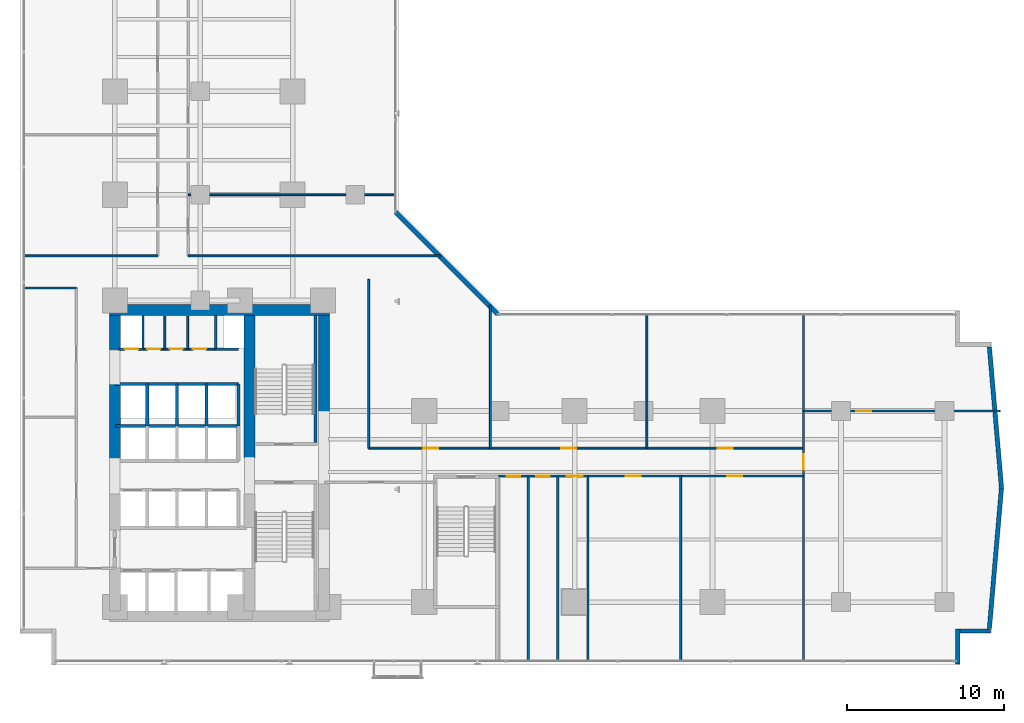
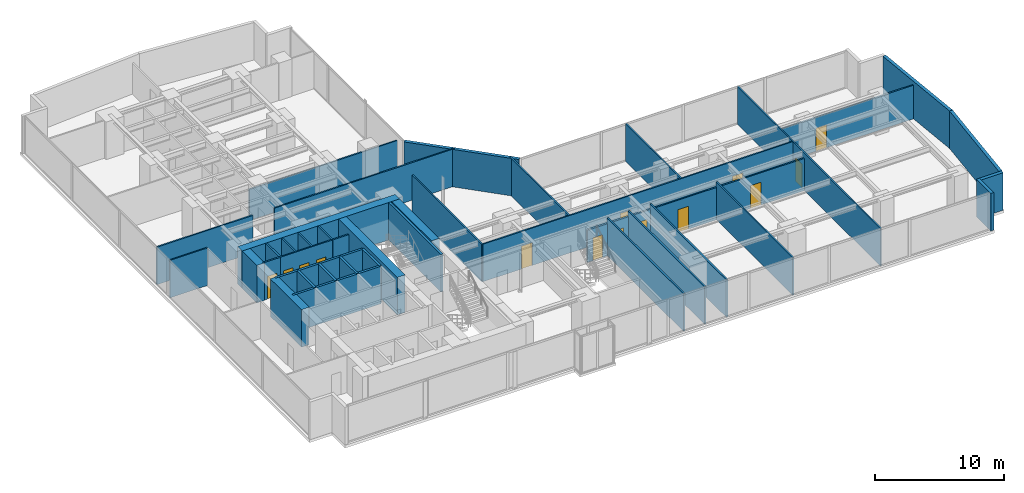
# One storey, part 23 of 28: 40 walls, 14 doors, 14 openings.
"""IFC4 building model written with IfcOpenShell, lengths in metres."""

from ifc_helpers import new_model, si_unit, direction, frame, frame_2d, origin, place, context, subcontext, project, spatial, rectangle, extrude, material, layer, layer_set, type_object, element, fill, save


model = new_model("IFC4")

# Units and contexts
model_context = context("Model", 3, precision=1e-05, world=origin(), true_north=direction((0.0, 1.0)))
body_context = subcontext(model_context, "Body", "Model", "MODEL_VIEW")
ifc_project = project(units=[si_unit("LENGTHUNIT", "METRE"), si_unit("AREAUNIT", "SQUARE_METRE"), si_unit("VOLUMEUNIT", "CUBIC_METRE"), si_unit("PLANEANGLEUNIT", "RADIAN"), si_unit("MASSUNIT", "GRAM", prefix="KILO")], contexts=[model_context])

# Site, building, storey
site_placement = place(None, origin())
site = spatial("IfcSite", under=ifc_project, at=site_placement, CompositionType="ELEMENT")
building_placement = place(site_placement, origin())
building = spatial("IfcBuilding", under=site, at=building_placement, Name="Kolvaren Waterfront Exchange", CompositionType="ELEMENT")
storey_placement = place(building_placement, frame((0.0, 0.0, 75.199951171875)))
storey = spatial("IfcBuildingStorey", under=building, at=storey_placement, Name="L19", CompositionType="ELEMENT", Elevation=75.199951171875)

# Walls
ifc_material_1 = material(Name="Precast concrete C40/50", Category="concrete")
ifc_layer_1 = layer(ifc_material_1, 0.280029296875, Name="Precast concrete C40/50")
ifc_layer_set_1 = layer_set([ifc_layer_1], Name="Precast concrete C40/50")
wall_type_1 = type_object("IfcWallType", Name="ARC-EXT-TERR-280", PredefinedType="SOLIDWALL", material=ifc_layer_set_1)
wall_1_placement = place(storey_placement, frame((61.239990234375, 1.260009765625, 0.0), z_axis=(0.0, 0.0, 1.0), x_axis=(0.0, 1.0, 0.0)))
element("IfcWall", 1, at=wall_1_placement, inside=storey, type_object=wall_type_1, Name="L19 notched corner spandrel pier SE-A", PredefinedType="SOLIDWALL", context=body_context, shape_type="SweptSolid", body=[
    extrude(rectangle(XDim=2.239990234375, YDim=0.280029296875, at=frame_2d((1.1201171875, 0.0))), origin(), (0.0, 0.0, 1.0), 3.5400390625),
])
wall_2_placement = place(storey_placement, frame((61.3798828125, 3.360107421875, 0.0), z_axis=(0.0, 0.0, 1.0), x_axis=(1.0, 0.0, 0.0)))
element("IfcWall", 2, at=wall_2_placement, inside=storey, type_object=wall_type_1, Name="L19 notched corner spandrel pier SE-B", PredefinedType="SOLIDWALL", context=body_context, shape_type="SweptSolid", body=[
    extrude(rectangle(XDim=1.960205078125, YDim=0.280029296875, at=frame_2d((0.97998046875, 0.0))), origin(), (0.0, 0.0, 1.0), 3.5400390625),
])
wall_3_placement = place(storey_placement, frame((31.885009765625, 23.574951171875, 0.0), z_axis=(0.0, 0.0, 1.0), x_axis=(-0.707106781187, 0.707106781187, 0.0)))
element("IfcWall", 3, at=wall_3_placement, inside=storey, type_object=wall_type_1, Name="L19 notched corner spandrel pier ELBOW", PredefinedType="SOLIDWALL", context=body_context, shape_type="SweptSolid", body=[
    extrude(rectangle(XDim=9.20654296875, YDim=0.280029296875, at=frame_2d((4.603271484375, 0.0))), origin(), (0.0, 0.0, 1.0), 3.5400390625),
])
for number, where, z_axis, x_axis, name in (
    (4, (63.266357421875, 3.5126953125, 0.0), (0.0, 0.0, 1.0), (0.085692274626, 0.996321651912, 0.0), "L19 east prow faceted facade wall 1"),
    (5, (64.038818359375, 12.506103515625, 0.0), (0.0, 0.0, 1.0), (-0.085692274626, 0.996321651912, 0.0), "L19 east prow faceted facade wall 2"),
):
    element("IfcWall", number, at=place(storey_placement, frame(where, z_axis=z_axis, x_axis=x_axis)), inside=storey, type_object=wall_type_1, Name=name, PredefinedType="SOLIDWALL", context=body_context, shape_type="SweptSolid", body=[
        extrude(rectangle(XDim=9.014404296875, YDim=0.280029296875, at=frame_2d((4.50732421875, 0.0))), origin(), (0.0, 0.0, 1.0), 3.5400390625),
    ])

# Wall, openings, doors
ifc_material_2 = material(Name="Acoustic gypsum steel stud", Category="steel")
ifc_layer_2 = layer(ifc_material_2, 0.125, Name="Acoustic gypsum steel stud")
ifc_layer_set_2 = layer_set([ifc_layer_2], Name="Acoustic gypsum steel stud")
wall_type_2 = type_object("IfcWallType", Name="ARC-PART-125", PredefinedType="PARTITIONING", material=ifc_layer_set_2)
wall_4_placement = place(storey_placement, frame((9.25, 21.35009765625, 0.0), z_axis=(0.0, 0.0, 1.0), x_axis=(1.0, 0.0, 0.0)))
wall_4 = element("IfcWall", 6, at=wall_4_placement, inside=storey, type_object=wall_type_2, Name="L19 interior wall PW-L19-SVC-EX-S", PredefinedType="PARTITIONING", context=body_context, shape_type="SweptSolid", body=[
    extrude(rectangle(XDim=4.64990234375, YDim=0.125, at=frame_2d((2.324951171875, 0.0))), origin(), (0.0, 0.0, 1.0), 3.5400390625),
])
opening_1_placement = place(wall_4_placement, frame((0.264892578125, 0.0, 0.0)))
opening_1 = element("IfcOpeningElement", 7, at=opening_1_placement, cuts=wall_4, Name="Opening D01", PredefinedType="OPENING", context=body_context, shape_type="SweptSolid", body=[
    extrude(rectangle(XDim=0.85009765625, YDim=2.14990234375, at=frame_2d((0.425048828125, 1.074951171875))), frame((0.0, 0.072509765625, 0.0), z_axis=(0.0, -1.0, 0.0), x_axis=(1.0, 0.0, 0.0)), (0.0, 0.0, 1.0), 0.14501953125),
])
opening_2_placement = place(wall_4_placement, frame((1.695068359375, 0.0, 0.0)))
opening_2 = element("IfcOpeningElement", 8, at=opening_2_placement, cuts=wall_4, Name="Opening D01", PredefinedType="OPENING", context=body_context, shape_type="SweptSolid", body=[
    extrude(rectangle(XDim=0.85009765625, YDim=2.14990234375, at=frame_2d((0.425048828125, 1.074951171875))), frame((0.0, 0.072509765625, 0.0), z_axis=(0.0, -1.0, 0.0), x_axis=(1.0, 0.0, 0.0)), (0.0, 0.0, 1.0), 0.14501953125),
])
opening_3_placement = place(wall_4_placement, frame((3.18994140625, 0.0, 0.0)))
opening_3 = element("IfcOpeningElement", 9, at=opening_3_placement, cuts=wall_4, Name="Opening D01", PredefinedType="OPENING", context=body_context, shape_type="SweptSolid", body=[
    extrude(rectangle(XDim=0.85009765625, YDim=2.14990234375, at=frame_2d((0.425048828125, 1.074951171875))), frame((0.0, 0.072509765625, 0.0), z_axis=(0.0, -1.0, 0.0), x_axis=(1.0, 0.0, 0.0)), (0.0, 0.0, 1.0), 0.14501953125),
])
ifc_material_3 = material(Name="Oak veneer timber leaf", Category="wood")
door_type_1 = type_object("IfcDoorType", Name="ARC-DR-900", OperationType="NOTDEFINED", PredefinedType="DOOR", material=ifc_material_3)
door_1_placement = place(opening_1_placement, origin())
door_1 = element("IfcDoor", 10, at=door_1_placement, inside=storey, type_object=door_type_1, Name="L19 door DR-L19-SVC-DR-1 (D01)", OperationType="SINGLE_SWING_RIGHT", OverallHeight=2.14990234375, OverallWidth=0.85009765625, PredefinedType="DOOR", context=body_context, shape_type="SweptSolid", body=[
    extrude(rectangle(XDim=0.85009765625, YDim=2.14990234375, at=frame_2d((0.425048828125, 1.074951171875))), frame((0.0, 0.02490234375, 0.0), z_axis=(0.0, -1.0, 0.0), x_axis=(1.0, 0.0, 0.0)), (0.0, 0.0, 1.0), 0.050048828125),
])
fill(opening_1, door_1)
door_2_placement = place(opening_2_placement, origin())
door_2 = element("IfcDoor", 11, at=door_2_placement, inside=storey, type_object=door_type_1, Name="L19 door DR-L19-SVC-DR-2 (D01)", OperationType="SINGLE_SWING_LEFT", OverallHeight=2.14990234375, OverallWidth=0.85009765625, PredefinedType="DOOR", context=body_context, shape_type="SweptSolid", body=[
    extrude(rectangle(XDim=0.85009765625, YDim=2.14990234375, at=frame_2d((0.425048828125, 1.074951171875))), frame((0.0, 0.02490234375, 0.0), z_axis=(0.0, -1.0, 0.0), x_axis=(1.0, 0.0, 0.0)), (0.0, 0.0, 1.0), 0.050048828125),
])
fill(opening_2, door_2)
door_3_placement = place(opening_3_placement, origin())
door_3 = element("IfcDoor", 12, at=door_3_placement, inside=storey, type_object=door_type_1, Name="L19 door DR-L19-SVC-DR-3 (D01)", OperationType="SINGLE_SWING_RIGHT", OverallHeight=2.14990234375, OverallWidth=0.85009765625, PredefinedType="DOOR", context=body_context, shape_type="SweptSolid", body=[
    extrude(rectangle(XDim=0.85009765625, YDim=2.14990234375, at=frame_2d((0.425048828125, 1.074951171875))), frame((0.0, 0.02490234375, 0.0), z_axis=(0.0, -1.0, 0.0), x_axis=(1.0, 0.0, 0.0)), (0.0, 0.0, 1.0), 0.050048828125),
])
fill(opening_3, door_3)

# Walls
for number, where, z_axis, x_axis, name in (
    (13, (10.64990234375, 21.35009765625, 0.0), (0.0, 0.0, 1.0), (0.0, 1.0, 0.0), "L19 interior wall PW-L19-SVC-EX-A"),
    (14, (12.10009765625, 21.35009765625, 0.0), (0.0, 0.0, 1.0), (0.0, 1.0, 0.0), "L19 interior wall PW-L19-SVC-EX-B"),
):
    element("IfcWall", number, at=place(storey_placement, frame(where, z_axis=z_axis, x_axis=x_axis)), inside=storey, type_object=wall_type_2, Name=name, PredefinedType="PARTITIONING", context=body_context, shape_type="SweptSolid", body=[
        extrude(rectangle(XDim=2.099853515625, YDim=0.125, at=frame_2d((1.0498046875, 0.0))), origin(), (0.0, 0.0, 1.0), 3.5400390625),
    ])
wall_5_placement = place(storey_placement, frame((1.639892578125, 25.25, 0.0), z_axis=(0.0, 0.0, 1.0), x_axis=(1.0, 0.0, 0.0)))
element("IfcWall", 15, at=wall_5_placement, inside=storey, type_object=wall_type_2, Name="L19 interior wall PW-L19-WFLANK-N", PredefinedType="PARTITIONING", context=body_context, shape_type="SweptSolid", body=[
    extrude(rectangle(XDim=3.360107421875, YDim=0.125, at=frame_2d((1.68017578125, 0.0))), origin(), (0.0, 0.0, 1.0), 3.5400390625),
])

# Wall, openings, doors
wall_6_placement = place(storey_placement, frame((37.64990234375, 13.25, 0.0), z_axis=(0.0, 0.0, 1.0), x_axis=(1.0, 0.0, 0.0)))
wall_6 = element("IfcWall", 16, at=wall_6_placement, inside=storey, type_object=wall_type_2, Name="L19 interior wall PW-L19-ES-CORR", PredefinedType="PARTITIONING", context=body_context, shape_type="SweptSolid", body=[
    extrude(rectangle(XDim=13.75, YDim=0.125, at=frame_2d((6.875, 0.0))), origin(), (0.0, 0.0, 1.0), 3.0400390625),
])
opening_4_placement = place(wall_6_placement, frame((2.408203125, 0.0, 0.0)))
opening_4 = element("IfcOpeningElement", 17, at=opening_4_placement, cuts=wall_6, Name="Opening D02", PredefinedType="OPENING", context=body_context, shape_type="SweptSolid", body=[
    extrude(rectangle(XDim=0.949951171875, YDim=2.14990234375, at=frame_2d((0.47509765625, 1.074951171875))), frame((0.0, 0.072509765625, 0.0), z_axis=(0.0, -1.0, 0.0), x_axis=(1.0, 0.0, 0.0)), (0.0, 0.0, 1.0), 0.14501953125),
])
opening_5_placement = place(wall_6_placement, frame((8.8798828125, 0.0, 0.0)))
opening_5 = element("IfcOpeningElement", 18, at=opening_5_placement, cuts=wall_6, Name="Opening D02", PredefinedType="OPENING", context=body_context, shape_type="SweptSolid", body=[
    extrude(rectangle(XDim=0.949951171875, YDim=2.14990234375, at=frame_2d((0.47509765625, 1.074951171875))), frame((0.0, 0.072509765625, 0.0), z_axis=(0.0, -1.0, 0.0), x_axis=(1.0, 0.0, 0.0)), (0.0, 0.0, 1.0), 0.14501953125),
])
ifc_material_4 = material(Name="Oak veneer acoustic timber", Category="wood")
door_type_2 = type_object("IfcDoorType", Name="ARC-DR-950", OperationType="NOTDEFINED", PredefinedType="DOOR", material=ifc_material_4)
door_4_placement = place(opening_4_placement, origin())
door_4 = element("IfcDoor", 19, at=door_4_placement, inside=storey, type_object=door_type_2, Name="L19 door DR-L19-ES-D-1 (D02)", OperationType="SINGLE_SWING_RIGHT", OverallHeight=2.14990234375, OverallWidth=0.949951171875, PredefinedType="DOOR", context=body_context, shape_type="SweptSolid", body=[
    extrude(rectangle(XDim=0.949951171875, YDim=2.14990234375, at=frame_2d((0.47509765625, 1.074951171875))), frame((0.0, 0.02490234375, 0.0), z_axis=(0.0, -1.0, 0.0), x_axis=(1.0, 0.0, 0.0)), (0.0, 0.0, 1.0), 0.050048828125),
])
fill(opening_4, door_4)
door_5_placement = place(opening_5_placement, origin())
door_5 = element("IfcDoor", 20, at=door_5_placement, inside=storey, type_object=door_type_2, Name="L19 door DR-L19-ES-D-2 (D02)", OperationType="SINGLE_SWING_LEFT", OverallHeight=2.14990234375, OverallWidth=0.949951171875, PredefinedType="DOOR", context=body_context, shape_type="SweptSolid", body=[
    extrude(rectangle(XDim=0.949951171875, YDim=2.14990234375, at=frame_2d((0.47509765625, 1.074951171875))), frame((0.0, 0.02490234375, 0.0), z_axis=(0.0, -1.0, 0.0), x_axis=(1.0, 0.0, 0.0)), (0.0, 0.0, 1.0), 0.050048828125),
])
fill(opening_5, door_5)

# Wall
wall_7_placement = place(storey_placement, frame((43.56005859375, 1.43994140625, 0.0), z_axis=(0.0, 0.0, 1.0), x_axis=(0.0, 1.0, 0.0)))
element("IfcWall", 21, at=wall_7_placement, inside=storey, type_object=wall_type_2, Name="L19 interior wall PW-L19-ES-DIV-1", PredefinedType="PARTITIONING", context=body_context, shape_type="SweptSolid", body=[
    extrude(rectangle(XDim=11.81005859375, YDim=0.125, at=frame_2d((5.905029296875, 0.0))), origin(), (0.0, 0.0, 1.0), 3.5400390625),
])

# Wall, opening, door
wall_8_placement = place(storey_placement, frame((51.39990234375, 1.43994140625, 0.0), z_axis=(0.0, 0.0, 1.0), x_axis=(0.0, 1.0, 0.0)))
wall_8 = element("IfcWall", 22, at=wall_8_placement, inside=storey, type_object=wall_type_2, Name="L19 interior wall PW-L19-ETIP-W", PredefinedType="PARTITIONING", context=body_context, shape_type="SweptSolid", body=[
    extrude(rectangle(XDim=22.1201171875, YDim=0.125, at=frame_2d((11.06005859375, 0.0))), origin(), (0.0, 0.0, 1.0), 3.5400390625),
])
opening_6_placement = place(wall_8_placement, frame((12.199951171875, 0.0, 0.0)))
opening_6 = element("IfcOpeningElement", 23, at=opening_6_placement, cuts=wall_8, Name="Opening D03", PredefinedType="OPENING", context=body_context, shape_type="SweptSolid", body=[
    extrude(rectangle(XDim=1.0, YDim=2.199951171875, at=frame_2d((0.5, 1.10009765625))), frame((0.0, 0.072509765625, 0.0), z_axis=(0.0, -1.0, 0.0), x_axis=(1.0, 0.0, 0.0)), (0.0, 0.0, 1.0), 0.14501953125),
])
ifc_material_5 = material(Name="Oak veneer accessible timber", Category="wood")
door_type_3 = type_object("IfcDoorType", Name="ARC-DR-1000", OperationType="NOTDEFINED", PredefinedType="DOOR", material=ifc_material_5)
door_6_placement = place(opening_6_placement, origin())
door_6 = element("IfcDoor", 24, at=door_6_placement, inside=storey, type_object=door_type_3, Name="L19 door DR-L19-ETIP1-D (D03)", OperationType="SINGLE_SWING_RIGHT", OverallHeight=2.199951171875, OverallWidth=1.0, PredefinedType="DOOR", context=body_context, shape_type="SweptSolid", body=[
    extrude(rectangle(XDim=1.0, YDim=2.199951171875, at=frame_2d((0.5, 1.10009765625))), frame((0.0, 0.02490234375, 0.0), z_axis=(0.0, -1.0, 0.0), x_axis=(1.0, 0.0, 0.0)), (0.0, 0.0, 1.0), 0.050048828125),
])
fill(opening_6, door_6)

wall_9_placement = place(storey_placement, frame((51.39990234375, 17.39990234375, 0.0), z_axis=(0.0, 0.0, 1.0), x_axis=(1.0, 0.0, 0.0)))
wall_9 = element("IfcWall", 25, at=wall_9_placement, inside=storey, type_object=wall_type_2, Name="L19 interior wall PW-L19-ETIP-MID", PredefinedType="PARTITIONING", context=body_context, shape_type="SweptSolid", body=[
    extrude(rectangle(XDim=12.56005859375, YDim=0.125, at=frame_2d((6.280029296875, 0.0))), origin(), (0.0, 0.0, 1.0), 3.179931640625),
])
opening_7_placement = place(wall_9_placement, frame((3.381103515625, 0.0, 0.0)))
opening_7 = element("IfcOpeningElement", 26, at=opening_7_placement, cuts=wall_9, Name="Opening D02", PredefinedType="OPENING", context=body_context, shape_type="SweptSolid", body=[
    extrude(rectangle(XDim=0.949951171875, YDim=2.14990234375, at=frame_2d((0.47509765625, 1.074951171875))), frame((0.0, 0.072509765625, 0.0), z_axis=(0.0, -1.0, 0.0), x_axis=(1.0, 0.0, 0.0)), (0.0, 0.0, 1.0), 0.14501953125),
])
door_7_placement = place(opening_7_placement, origin())
door_7 = element("IfcDoor", 27, at=door_7_placement, inside=storey, type_object=door_type_2, Name="L19 door DR-L19-ETIP2-D (D02)", OperationType="SINGLE_SWING_LEFT", OverallHeight=2.14990234375, OverallWidth=0.949951171875, PredefinedType="DOOR", context=body_context, shape_type="SweptSolid", body=[
    extrude(rectangle(XDim=0.949951171875, YDim=2.14990234375, at=frame_2d((0.47509765625, 1.074951171875))), frame((0.0, 0.02490234375, 0.0), z_axis=(0.0, -1.0, 0.0), x_axis=(1.0, 0.0, 0.0)), (0.0, 0.0, 1.0), 0.050048828125),
])
fill(opening_7, door_7)

# Wall
wall_10_placement = place(storey_placement, frame((23.64990234375, 15.030029296875, 0.0), z_axis=(0.0, 0.0, 1.0), x_axis=(0.0, 1.0, 0.0)))
element("IfcWall", 28, at=wall_10_placement, inside=storey, type_object=wall_type_2, Name="L19 interior wall PW-L19-EN-W0", PredefinedType="PARTITIONING", context=body_context, shape_type="SweptSolid", body=[
    extrude(rectangle(XDim=10.77001953125, YDim=0.125, at=frame_2d((5.385009765625, 0.0))), origin(), (0.0, 0.0, 1.0), 3.5400390625),
])

# Wall, openings, doors
wall_11_placement = place(storey_placement, frame((23.64990234375, 15.030029296875, 0.0), z_axis=(0.0, 0.0, 1.0), x_axis=(1.0, 0.0, 0.0)))
wall_11 = element("IfcWall", 29, at=wall_11_placement, inside=storey, type_object=wall_type_2, Name="L19 interior wall PW-L19-EN-CORR", PredefinedType="PARTITIONING", context=body_context, shape_type="SweptSolid", body=[
    extrude(rectangle(XDim=27.75, YDim=0.125, at=frame_2d((13.875, 0.0))), origin(), (0.0, 0.0, 1.0), 3.5400390625),
])
opening_8_placement = place(wall_11_placement, frame((3.47998046875, 0.0, 0.0)))
opening_8 = element("IfcOpeningElement", 30, at=opening_8_placement, cuts=wall_11, Name="Opening D02", PredefinedType="OPENING", context=body_context, shape_type="SweptSolid", body=[
    extrude(rectangle(XDim=0.949951171875, YDim=2.14990234375, at=frame_2d((0.47509765625, 1.074951171875))), frame((0.0, 0.072509765625, 0.0), z_axis=(0.0, -1.0, 0.0), x_axis=(1.0, 0.0, 0.0)), (0.0, 0.0, 1.0), 0.14501953125),
])
opening_9_placement = place(wall_11_placement, frame((12.2900390625, 0.0, 0.0)))
opening_9 = element("IfcOpeningElement", 31, at=opening_9_placement, cuts=wall_11, Name="Opening D02", PredefinedType="OPENING", context=body_context, shape_type="SweptSolid", body=[
    extrude(rectangle(XDim=0.949951171875, YDim=2.14990234375, at=frame_2d((0.47509765625, 1.074951171875))), frame((0.0, 0.072509765625, 0.0), z_axis=(0.0, -1.0, 0.0), x_axis=(1.0, 0.0, 0.0)), (0.0, 0.0, 1.0), 0.14501953125),
])
opening_10_placement = place(wall_11_placement, frame((22.280029296875, 0.0, 0.0)))
opening_10 = element("IfcOpeningElement", 32, at=opening_10_placement, cuts=wall_11, Name="Opening D02", PredefinedType="OPENING", context=body_context, shape_type="SweptSolid", body=[
    extrude(rectangle(XDim=0.949951171875, YDim=2.14990234375, at=frame_2d((0.47509765625, 1.074951171875))), frame((0.0, 0.072509765625, 0.0), z_axis=(0.0, -1.0, 0.0), x_axis=(1.0, 0.0, 0.0)), (0.0, 0.0, 1.0), 0.14501953125),
])
door_8_placement = place(opening_8_placement, origin())
door_8 = element("IfcDoor", 33, at=door_8_placement, inside=storey, type_object=door_type_2, Name="L19 door DR-L19-EN-D-1 (D02)", OperationType="SINGLE_SWING_RIGHT", OverallHeight=2.14990234375, OverallWidth=0.949951171875, PredefinedType="DOOR", context=body_context, shape_type="SweptSolid", body=[
    extrude(rectangle(XDim=0.949951171875, YDim=2.14990234375, at=frame_2d((0.47509765625, 1.074951171875))), frame((0.0, 0.02490234375, 0.0), z_axis=(0.0, -1.0, 0.0), x_axis=(1.0, 0.0, 0.0)), (0.0, 0.0, 1.0), 0.050048828125),
])
fill(opening_8, door_8)
door_9_placement = place(opening_9_placement, origin())
door_9 = element("IfcDoor", 34, at=door_9_placement, inside=storey, type_object=door_type_2, Name="L19 door DR-L19-EN-D-2 (D02)", OperationType="SINGLE_SWING_LEFT", OverallHeight=2.14990234375, OverallWidth=0.949951171875, PredefinedType="DOOR", context=body_context, shape_type="SweptSolid", body=[
    extrude(rectangle(XDim=0.949951171875, YDim=2.14990234375, at=frame_2d((0.47509765625, 1.074951171875))), frame((0.0, 0.02490234375, 0.0), z_axis=(0.0, -1.0, 0.0), x_axis=(1.0, 0.0, 0.0)), (0.0, 0.0, 1.0), 0.050048828125),
])
fill(opening_9, door_9)
door_10_placement = place(opening_10_placement, origin())
door_10 = element("IfcDoor", 35, at=door_10_placement, inside=storey, type_object=door_type_2, Name="L19 door DR-L19-EN-D-3 (D02)", OperationType="SINGLE_SWING_RIGHT", OverallHeight=2.14990234375, OverallWidth=0.949951171875, PredefinedType="DOOR", context=body_context, shape_type="SweptSolid", body=[
    extrude(rectangle(XDim=0.949951171875, YDim=2.14990234375, at=frame_2d((0.47509765625, 1.074951171875))), frame((0.0, 0.02490234375, 0.0), z_axis=(0.0, -1.0, 0.0), x_axis=(1.0, 0.0, 0.0)), (0.0, 0.0, 1.0), 0.050048828125),
])
fill(opening_10, door_10)

# Walls
wall_12_placement = place(storey_placement, frame((31.419921875, 15.030029296875, 0.0), z_axis=(0.0, 0.0, 1.0), x_axis=(0.0, 1.0, 0.0)))
element("IfcWall", 36, at=wall_12_placement, inside=storey, type_object=wall_type_2, Name="L19 interior wall PW-L19-EN-DIV-1", PredefinedType="PARTITIONING", context=body_context, shape_type="SweptSolid", body=[
    extrude(rectangle(XDim=9.10986328125, YDim=0.125, at=frame_2d((4.554931640625, 0.0))), origin(), (0.0, 0.0, 1.0), 3.5400390625),
])
wall_13_placement = place(storey_placement, frame((41.409912109375, 15.030029296875, 0.0), z_axis=(0.0, 0.0, 1.0), x_axis=(0.0, 1.0, 0.0)))
element("IfcWall", 37, at=wall_13_placement, inside=storey, type_object=wall_type_2, Name="L19 interior wall PW-L19-EN-DIV-2", PredefinedType="PARTITIONING", context=body_context, shape_type="SweptSolid", body=[
    extrude(rectangle(XDim=8.530029296875, YDim=0.125, at=frame_2d((4.26513671875, 0.0))), origin(), (0.0, 0.0, 1.0), 3.5400390625),
])
wall_14_placement = place(storey_placement, frame((1.639892578125, 27.300048828125, 0.0), z_axis=(0.0, 0.0, 1.0), x_axis=(1.0, 0.0, 0.0)))
element("IfcWall", 38, at=wall_14_placement, inside=storey, type_object=wall_type_2, Name="L19 interior wall PW-L19-NW-S0", PredefinedType="PARTITIONING", context=body_context, shape_type="SweptSolid", body=[
    extrude(rectangle(XDim=8.56005859375, YDim=0.125, at=frame_2d((4.280029296875, 0.0))), origin(), (0.0, 0.0, 1.0), 3.5400390625),
])
wall_15_placement = place(storey_placement, frame((12.139892578125, 27.300048828125, 0.0), z_axis=(0.0, 0.0, 1.0), x_axis=(1.0, 0.0, 0.0)))
element("IfcWall", 39, at=wall_15_placement, inside=storey, type_object=wall_type_2, Name="L19 interior wall PW-L19-NE-S0", PredefinedType="PARTITIONING", context=body_context, shape_type="SweptSolid", body=[
    extrude(rectangle(XDim=16.1201171875, YDim=0.125, at=frame_2d((8.06005859375, 0.0))), origin(), (0.0, 0.0, 1.0), 3.5400390625),
])
wall_16_placement = place(storey_placement, frame((12.139892578125, 31.199951171875, 0.0), z_axis=(0.0, 0.0, 1.0), x_axis=(1.0, 0.0, 0.0)))
element("IfcWall", 40, at=wall_16_placement, inside=storey, type_object=wall_type_2, Name="L19 interior wall PW-L19-NE-DIV-1", PredefinedType="PARTITIONING", context=body_context, shape_type="SweptSolid", body=[
    extrude(rectangle(XDim=13.22021484375, YDim=0.125, at=frame_2d((6.610107421875, 0.0))), origin(), (0.0, 0.0, 1.0), 2.93994140625),
])
ifc_material_6 = material(Name="Gypsum fireboard steel stud", Category="steel")
ifc_layer_3 = layer(ifc_material_6, 0.14990234375, Name="Gypsum fireboard steel stud")
ifc_layer_set_3 = layer_set([ifc_layer_3], Name="Gypsum fireboard steel stud")
wall_type_3 = type_object("IfcWallType", Name="ARC-PART-150", PredefinedType="PARTITIONING", material=ifc_layer_set_3)
for number, where, z_axis, x_axis, name in (
    (41, (9.25, 21.35009765625, 0.0), (0.0, 0.0, 1.0), (0.0, 1.0, 0.0), "L19 interior wall PW-L19-SVC-R1"),
    (42, (13.89990234375, 21.35009765625, 0.0), (0.0, 0.0, 1.0), (0.0, 1.0, 0.0), "L19 interior wall PW-L19-SVC-R2"),
):
    element("IfcWall", number, at=place(storey_placement, frame(where, z_axis=z_axis, x_axis=x_axis)), inside=storey, type_object=wall_type_3, Name=name, PredefinedType="PARTITIONING", context=body_context, shape_type="SweptSolid", body=[
        extrude(rectangle(XDim=2.1298828125, YDim=0.14990234375, at=frame_2d((1.06494140625, 0.0))), origin(), (0.0, 0.0, 1.0), 3.5400390625),
    ])

# Wall, opening, door
wall_17_placement = place(storey_placement, frame((7.699951171875, 21.35009765625, 0.0), z_axis=(0.0, 0.0, 1.0), x_axis=(1.0, 0.0, 0.0)))
wall_17 = element("IfcWall", 43, at=wall_17_placement, inside=storey, type_object=wall_type_3, Name="L19 interior wall PW-L19-SVC-RE-S", PredefinedType="PARTITIONING", context=body_context, shape_type="SweptSolid", body=[
    extrude(rectangle(XDim=1.550048828125, YDim=0.14990234375, at=frame_2d((0.77490234375, 0.0))), origin(), (0.0, 0.0, 1.0), 3.5400390625),
])
opening_11_placement = place(wall_17_placement, frame((0.389892578125, 0.0, 0.0)))
opening_11 = element("IfcOpeningElement", 44, at=opening_11_placement, cuts=wall_17, Name="Opening FD1", PredefinedType="OPENING", context=body_context, shape_type="SweptSolid", body=[
    extrude(rectangle(XDim=0.85009765625, YDim=2.14990234375, at=frame_2d((0.425048828125, 1.074951171875))), frame((0.0, 0.0849609375, 0.0), z_axis=(0.0, -1.0, 0.0), x_axis=(1.0, 0.0, 0.0)), (0.0, 0.0, 1.0), 0.169921875),
])
ifc_material_7 = material(Name="Pressed steel fire leaf", Category="steel")
door_type_4 = type_object("IfcDoorType", Name="ARC-FD-900", OperationType="NOTDEFINED", PredefinedType="DOOR", material=ifc_material_7)
door_11_placement = place(opening_11_placement, origin())
door_11 = element("IfcDoor", 45, at=door_11_placement, inside=storey, type_object=door_type_4, Name="L19 door DR-L19-RISER-E-DR (FD1)", OperationType="SINGLE_SWING_LEFT", OverallHeight=2.14990234375, OverallWidth=0.85009765625, PredefinedType="DOOR", context=body_context, shape_type="SweptSolid", body=[
    extrude(rectangle(XDim=0.85009765625, YDim=2.14990234375, at=frame_2d((0.425048828125, 1.074951171875))), frame((0.0, 0.02490234375, 0.0), z_axis=(0.0, -1.0, 0.0), x_axis=(1.0, 0.0, 0.0)), (0.0, 0.0, 1.0), 0.050048828125),
])
fill(opening_11, door_11)

# Wall
wall_18_placement = place(storey_placement, frame((13.89990234375, 21.35009765625, 0.0), z_axis=(0.0, 0.0, 1.0), x_axis=(1.0, 0.0, 0.0)))
element("IfcWall", 46, at=wall_18_placement, inside=storey, type_object=wall_type_3, Name="L19 interior wall PW-L19-SVC-RP-S", PredefinedType="PARTITIONING", context=body_context, shape_type="SweptSolid", body=[
    extrude(rectangle(XDim=1.4501953125, YDim=0.14990234375, at=frame_2d((0.72509765625, 0.0))), origin(), (0.0, 0.0, 1.0), 3.5400390625),
])

# Wall, openings, doors
ifc_material_8 = material(Name="Moisture-resistant gypsum stud")
ifc_layer_4 = layer(ifc_material_8, 0.14990234375, Name="Moisture-resistant gypsum stud")
ifc_layer_set_4 = layer_set([ifc_layer_4], Name="Moisture-resistant gypsum stud")
wall_type_4 = type_object("IfcWallType", Name="ARC-PLUMB-150", PredefinedType="PLUMBINGWALL", material=ifc_layer_set_4)
wall_19_placement = place(storey_placement, frame((31.949951171875, 13.25, 0.0), z_axis=(0.0, 0.0, 1.0), x_axis=(1.0, 0.0, 0.0)))
wall_19 = element("IfcWall", 47, at=wall_19_placement, inside=storey, type_object=wall_type_4, Name="L19 interior wall PW-L19-WC-N", PredefinedType="PLUMBINGWALL", context=body_context, shape_type="SweptSolid", body=[
    extrude(rectangle(XDim=5.699951171875, YDim=0.14990234375, at=frame_2d((2.85009765625, 0.0))), origin(), (0.0, 0.0, 1.0), 3.0400390625),
])
opening_12_placement = place(wall_19_placement, frame((0.514892578125, 0.0, 0.0)))
opening_12 = element("IfcOpeningElement", 48, at=opening_12_placement, cuts=wall_19, Name="Opening D01", PredefinedType="OPENING", context=body_context, shape_type="SweptSolid", body=[
    extrude(rectangle(XDim=0.85009765625, YDim=2.14990234375, at=frame_2d((0.425048828125, 1.074951171875))), frame((0.0, 0.0849609375, 0.0), z_axis=(0.0, -1.0, 0.0), x_axis=(1.0, 0.0, 0.0)), (0.0, 0.0, 1.0), 0.169921875),
])
opening_13_placement = place(wall_19_placement, frame((2.39501953125, 0.0, 0.0)))
opening_13 = element("IfcOpeningElement", 49, at=opening_13_placement, cuts=wall_19, Name="Opening D01", PredefinedType="OPENING", context=body_context, shape_type="SweptSolid", body=[
    extrude(rectangle(XDim=0.85009765625, YDim=2.14990234375, at=frame_2d((0.425048828125, 1.074951171875))), frame((0.0, 0.0849609375, 0.0), z_axis=(0.0, -1.0, 0.0), x_axis=(1.0, 0.0, 0.0)), (0.0, 0.0, 1.0), 0.169921875),
])
opening_14_placement = place(wall_19_placement, frame((4.35009765625, 0.0, 0.0)))
opening_14 = element("IfcOpeningElement", 50, at=opening_14_placement, cuts=wall_19, Name="Opening D03", PredefinedType="OPENING", context=body_context, shape_type="SweptSolid", body=[
    extrude(rectangle(XDim=1.0, YDim=2.199951171875, at=frame_2d((0.5, 1.10009765625))), frame((0.0, 0.0849609375, 0.0), z_axis=(0.0, -1.0, 0.0), x_axis=(1.0, 0.0, 0.0)), (0.0, 0.0, 1.0), 0.169921875),
])
door_12_placement = place(opening_14_placement, origin())
door_12 = element("IfcDoor", 51, at=door_12_placement, inside=storey, type_object=door_type_3, Name="L19 door DR-L19-WCA-D (D03)", OperationType="SINGLE_SWING_LEFT", OverallHeight=2.199951171875, OverallWidth=1.0, PredefinedType="DOOR", context=body_context, shape_type="SweptSolid", body=[
    extrude(rectangle(XDim=1.0, YDim=2.199951171875, at=frame_2d((0.5, 1.10009765625))), frame((0.0, 0.02490234375, 0.0), z_axis=(0.0, -1.0, 0.0), x_axis=(1.0, 0.0, 0.0)), (0.0, 0.0, 1.0), 0.050048828125),
])
fill(opening_14, door_12)
door_13_placement = place(opening_12_placement, origin())
door_13 = element("IfcDoor", 52, at=door_13_placement, inside=storey, type_object=door_type_1, Name="L19 door DR-L19-WCM-D (D01)", OperationType="SINGLE_SWING_LEFT", OverallHeight=2.14990234375, OverallWidth=0.85009765625, PredefinedType="DOOR", context=body_context, shape_type="SweptSolid", body=[
    extrude(rectangle(XDim=0.85009765625, YDim=2.14990234375, at=frame_2d((0.425048828125, 1.074951171875))), frame((0.0, 0.02490234375, 0.0), z_axis=(0.0, -1.0, 0.0), x_axis=(1.0, 0.0, 0.0)), (0.0, 0.0, 1.0), 0.050048828125),
])
fill(opening_12, door_13)
door_14_placement = place(opening_13_placement, origin())
door_14 = element("IfcDoor", 53, at=door_14_placement, inside=storey, type_object=door_type_1, Name="L19 door DR-L19-WCF-D (D01)", OperationType="SINGLE_SWING_RIGHT", OverallHeight=2.14990234375, OverallWidth=0.85009765625, PredefinedType="DOOR", context=body_context, shape_type="SweptSolid", body=[
    extrude(rectangle(XDim=0.85009765625, YDim=2.14990234375, at=frame_2d((0.425048828125, 1.074951171875))), frame((0.0, 0.02490234375, 0.0), z_axis=(0.0, -1.0, 0.0), x_axis=(1.0, 0.0, 0.0)), (0.0, 0.0, 1.0), 0.050048828125),
])
fill(opening_13, door_14)

# Walls
for number, where, z_axis, x_axis, name in (
    (54, (33.830078125, 1.43994140625, 0.0), (0.0, 0.0, 1.0), (0.0, 1.0, 0.0), "L19 interior wall PW-L19-WC-1"),
    (55, (35.7099609375, 1.43994140625, 0.0), (0.0, 0.0, 1.0), (0.0, 1.0, 0.0), "L19 interior wall PW-L19-WC-2"),
    (56, (37.64990234375, 1.43994140625, 0.0), (0.0, 0.0, 1.0), (0.0, 1.0, 0.0), "L19 interior wall PW-L19-WC-3"),
):
    element("IfcWall", number, at=place(storey_placement, frame(where, z_axis=z_axis, x_axis=x_axis)), inside=storey, type_object=wall_type_4, Name=name, PredefinedType="PLUMBINGWALL", context=body_context, shape_type="SweptSolid", body=[
        extrude(rectangle(XDim=11.81005859375, YDim=0.14990234375, at=frame_2d((5.905029296875, 0.0))), origin(), (0.0, 0.0, 1.0), 3.5400390625),
    ])
ifc_material_9 = material(Name="Concrete C40/50", Category="concrete")
ifc_layer_5 = layer(ifc_material_9, 0.199951171875, Name="Concrete C40/50")
ifc_layer_set_5 = layer_set([ifc_layer_5], Name="Concrete C40/50")
wall_type_5 = type_object("IfcWallType", Name="ARC-SHAFT-200", PredefinedType="PARTITIONING", material=ifc_layer_set_5)
wall_20_placement = place(storey_placement, frame((20.260009765625, 15.39990234375, 0.0), z_axis=(0.0, 0.0, 1.0), x_axis=(0.0, 1.0, 0.0)))
element("IfcWall", 57, at=wall_20_placement, inside=storey, type_object=wall_type_5, Name="L19 structural stairwell wall PW-L19-ST2-E", PredefinedType="SHEAR", context=body_context, shape_type="SweptSolid", body=[
    extrude(rectangle(XDim=8.090087890625, YDim=0.199951171875, at=frame_2d((4.044921875, 0.0))), origin(), (0.0, 0.0, 1.0), 3.5400390625),
])
for number, where, z_axis, x_axis, name in (
    (58, (7.5, 16.449951171875, 0.0), (0.0, 0.0, 1.0), (1.0, 0.0, 0.0), "L19 interior wall PW-L19-PM-N"),
    (59, (7.5, 19.1201171875, 0.0), (0.0, 0.0, 1.0), (1.0, 0.0, 0.0), "L19 interior wall PW-L19-PH-N"),
):
    element("IfcWall", number, at=place(storey_placement, frame(where, z_axis=z_axis, x_axis=x_axis)), inside=storey, type_object=wall_type_5, Name=name, PredefinedType="PARTITIONING", context=body_context, shape_type="SweptSolid", body=[
        extrude(rectangle(XDim=7.85009765625, YDim=0.199951171875, at=frame_2d((3.925048828125, 0.0))), origin(), (0.0, 0.0, 1.0), 3.5400390625),
    ])
for number, where, z_axis, x_axis, name in (
    (60, (15.35009765625, 16.449951171875, 0.0), (0.0, 0.0, 1.0), (0.0, 1.0, 0.0), "L19 interior wall PW-L19-PH-E"),
    (61, (9.52001953125, 16.449951171875, 0.0), (0.0, 0.0, 1.0), (0.0, 1.0, 0.0), "L19 interior wall PW-L19-SH4-DIV-95"),
    (62, (11.409912109375, 16.449951171875, 0.0), (0.0, 0.0, 1.0), (0.0, 1.0, 0.0), "L19 interior wall PW-L19-SH4-DIV-114"),
    (63, (13.300048828125, 16.449951171875, 0.0), (0.0, 0.0, 1.0), (0.0, 1.0, 0.0), "L19 interior wall PW-L19-SH4-DIV-133"),
):
    element("IfcWall", number, at=place(storey_placement, frame(where, z_axis=z_axis, x_axis=x_axis)), inside=storey, type_object=wall_type_5, Name=name, PredefinedType="PARTITIONING", context=body_context, shape_type="SweptSolid", body=[
        extrude(rectangle(XDim=2.670166015625, YDim=0.199951171875, at=frame_2d((1.3349609375, 0.0))), origin(), (0.0, 0.0, 1.0), 3.5400390625),
    ])
ifc_material_10 = material(Name="Concrete C70/85", Category="concrete")
ifc_layer_6 = layer(ifc_material_10, 0.699951171875, Name="Concrete C70/85")
ifc_layer_set_6 = layer_set([ifc_layer_6], Name="Concrete C70/85")
wall_type_6 = type_object("IfcWallType", Name="STR-CWALL-700", PredefinedType="SHEAR", material=ifc_layer_set_6)
wall_21_placement = place(storey_placement, frame((7.10009765625, 23.85009765625, 0.0), z_axis=(0.0, 0.0, 1.0), x_axis=(1.0, 0.0, 0.0)))
element("IfcWall", 64, at=wall_21_placement, inside=storey, type_object=wall_type_6, Name="L19 rear-core shear wall N", PredefinedType="SHEAR", context=body_context, shape_type="SweptSolid", body=[
    extrude(rectangle(XDim=14.0498046875, YDim=0.699951171875, at=frame_2d((7.02490234375, 0.0))), origin(), (0.0, 0.0, 1.0), 3.5400390625),
])
wall_22_placement = place(storey_placement, frame((7.449951171875, 14.35009765625, 0.0), z_axis=(0.0, 0.0, 1.0), x_axis=(0.0, 1.0, 0.0)))
element("IfcWall", 65, at=wall_22_placement, inside=storey, type_object=wall_type_6, Name="L19 rear-core shear wall W2B", PredefinedType="SHEAR", context=body_context, shape_type="SweptSolid", body=[
    extrude(rectangle(XDim=4.809814453125, YDim=0.699951171875, at=frame_2d((2.40478515625, 0.0))), origin(), (0.0, 0.0, 1.0), 3.5400390625),
])
wall_23_placement = place(storey_placement, frame((7.449951171875, 21.239990234375, 0.0), z_axis=(0.0, 0.0, 1.0), x_axis=(0.0, 1.0, 0.0)))
element("IfcWall", 66, at=wall_23_placement, inside=storey, type_object=wall_type_6, Name="L19 rear-core shear wall W3", PredefinedType="SHEAR", context=body_context, shape_type="SweptSolid", body=[
    extrude(rectangle(XDim=2.260009765625, YDim=0.699951171875, at=frame_2d((1.1298828125, 0.0))), origin(), (0.0, 0.0, 1.0), 3.5400390625),
])
wall_24_placement = place(storey_placement, frame((20.800048828125, 17.35009765625, 0.0), z_axis=(0.0, 0.0, 1.0), x_axis=(0.0, 1.0, 0.0)))
element("IfcWall", 67, at=wall_24_placement, inside=storey, type_object=wall_type_6, Name="L19 rear-core shear wall E3", PredefinedType="SHEAR", context=body_context, shape_type="SweptSolid", body=[
    extrude(rectangle(XDim=6.14990234375, YDim=0.699951171875, at=frame_2d((3.074951171875, 0.0))), origin(), (0.0, 0.0, 1.0), 3.5400390625),
])
wall_25_placement = place(storey_placement, frame((16.050048828125, 14.39990234375, 0.0), z_axis=(0.0, 0.0, 1.0), x_axis=(0.0, 1.0, 0.0)))
element("IfcWall", 68, at=wall_25_placement, inside=storey, type_object=wall_type_6, Name="L19 rear-core shear wall M3", PredefinedType="SHEAR", context=body_context, shape_type="SweptSolid", body=[
    extrude(rectangle(XDim=9.10009765625, YDim=0.699951171875, at=frame_2d((4.550048828125, 0.0))), origin(), (0.0, 0.0, 1.0), 3.5400390625),
])

save(model, "model.ifc")
